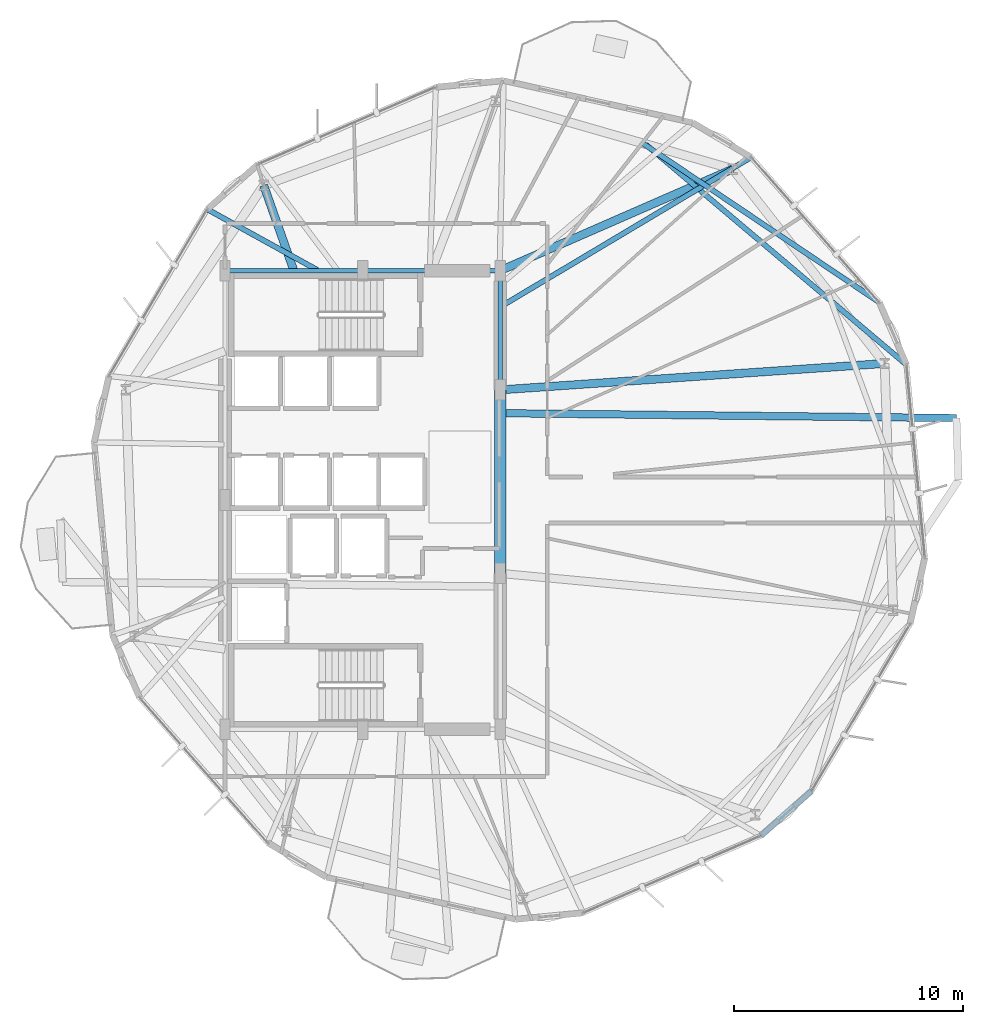
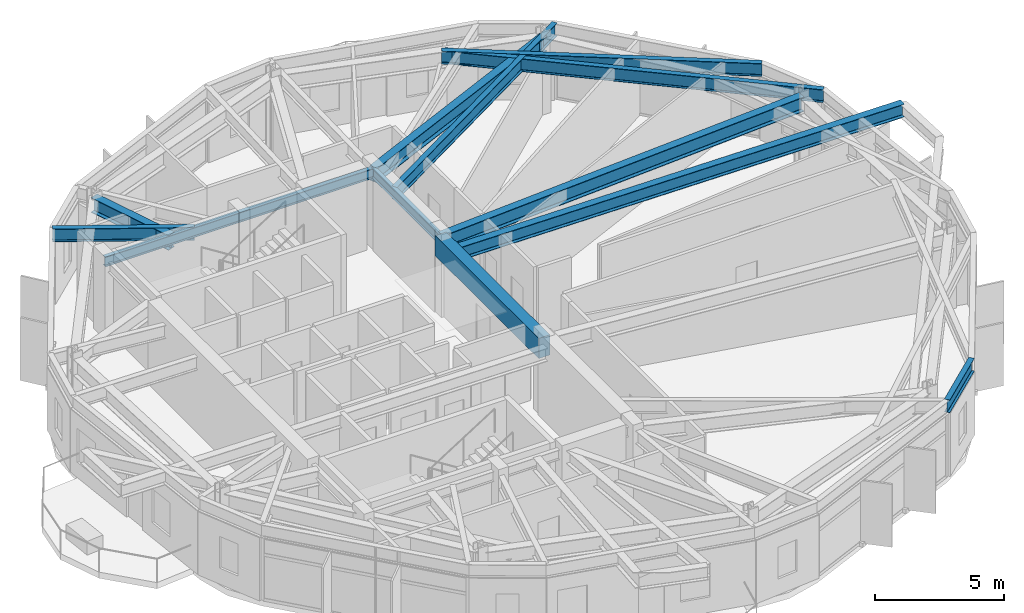
# One storey, part 9 of 23: 13 beams.
"""IFC4 building model written with IfcOpenShell, lengths in metres."""

from ifc_helpers import new_model, si_unit, direction, frame, origin, origin_2d, place, context, subcontext, project, spatial, rectangle, i_section, extrude, material, material_profile, profile_set, type_object, element, save


model = new_model("IFC4")

# Units and contexts
model_context = context("Model", 3, precision=1e-05, world=origin(), true_north=direction((0.0, 1.0)))
body_context = subcontext(model_context, "Body", "Model", "MODEL_VIEW")
ifc_project = project(units=[si_unit("LENGTHUNIT", "METRE"), si_unit("AREAUNIT", "SQUARE_METRE"), si_unit("VOLUMEUNIT", "CUBIC_METRE"), si_unit("PLANEANGLEUNIT", "RADIAN"), si_unit("MASSUNIT", "GRAM", prefix="KILO")], contexts=[model_context])

# Site, building, storey
site_placement = place(None, origin())
site = spatial("IfcSite", under=ifc_project, at=site_placement, CompositionType="ELEMENT")
building_placement = place(site_placement, origin())
building = spatial("IfcBuilding", under=site, at=building_placement, Name="Soratama Intermodal Tower", CompositionType="ELEMENT")
storey_placement = place(building_placement, frame((0.0, 0.0, 118.60009765625)))
storey = spatial("IfcBuildingStorey", under=building, at=storey_placement, Name="L28", CompositionType="ELEMENT", Elevation=118.60009765625)

# Beams
ifc_material_1 = material(Name="Structural steel ASTM A992 Grade 50", Category="steel")
ifc_material_profile_1 = material_profile(ifc_material_1, i_section(OverallWidth=0.324951171875, OverallDepth=0.615966796875, WebThickness=0.013916015625, FlangeThickness=0.021484375, FilletRadius=0.013916015625, at=origin_2d()), Name="W24X117")
ifc_profile_set_1 = profile_set([ifc_material_profile_1], Name="Structural steel ASTM A992 Grade 50")
beam_type_1 = type_object("IfcBeamType", Name="BM-CANT-W24X117", PredefinedType="BEAM", material=ifc_profile_set_1)
beam_1_placement = place(storey_placement, frame((44.8349609375, 28.781005859375, 3.2919921875), z_axis=(0.999943415299, -0.010637960323, 0.0), x_axis=(0.010637960323, 0.999943415299, 0.0)))
element("IfcBeam", 1, at=beam_1_placement, inside=storey, type_object=beam_type_1, Name="BM-L28-CANT-1-2", PredefinedType="BEAM", context=body_context, shape_type="SweptSolid", body=[
    extrude(i_section(OverallWidth=0.324951171875, OverallDepth=0.615966796875, WebThickness=0.013916015625, FlangeThickness=0.021484375, FilletRadius=0.013916015625, at=origin_2d()), origin(), (0.0, 0.0, 1.0), 19.645263671875),
])
ifc_material_2 = material(Name="Concrete f'c 56 MPa", Category="concrete")
ifc_material_profile_2 = material_profile(ifc_material_2, rectangle(XDim=0.5, YDim=0.949951171875, at=origin_2d()), Name="RC500X950")
ifc_profile_set_2 = profile_set([ifc_material_profile_2], Name="Concrete f'c 56 MPa")
beam_type_2 = type_object("IfcBeamType", Name="BM-CPL-RC500X950", PredefinedType="BEAM", material=ifc_profile_set_2)
beam_2_placement = place(storey_placement, frame((44.60009765625, 21.800048828125, 3.125), z_axis=(0.0, 1.0, 0.0), x_axis=(-1.0, 0.0, 0.0)))
element("IfcBeam", 2, at=beam_2_placement, inside=storey, type_object=beam_type_2, Name="L28 Core Coupling Beam East", PredefinedType="BEAM", context=body_context, shape_type="SweptSolid", body=[
    extrude(rectangle(XDim=0.5, YDim=0.949951171875, at=origin_2d()), origin(), (0.0, 0.0, 1.0), 8.0),
])
ifc_material_3 = material(Name="Structural steel ASTM A992 Grade 50", Category="steel")
ifc_material_profile_3 = material_profile(ifc_material_3, i_section(OverallWidth=0.19091796875, OverallDepth=0.4599609375, WebThickness=0.010009765625, FlangeThickness=0.01611328125, FilletRadius=0.010986328125, at=origin_2d()), Name="W18X55")
ifc_profile_set_3 = profile_set([ifc_material_profile_3], Name="Structural steel ASTM A992 Grade 50")
beam_type_3 = type_object("IfcBeamType", Name="BM-FLR-W18X55", PredefinedType="BEAM", material=ifc_profile_set_3)
beam_3_placement = place(storey_placement, frame((44.60009765625, 29.800048828125, 3.369873046875), z_axis=(0.0, 1.0, 0.0), x_axis=(-1.0, 0.0, 0.0)))
element("IfcBeam", 3, at=beam_3_placement, inside=storey, type_object=beam_type_3, Name="BM-L28-CRING-05", PredefinedType="BEAM", context=body_context, shape_type="SweptSolid", body=[
    extrude(i_section(OverallWidth=0.19091796875, OverallDepth=0.4599609375, WebThickness=0.010009765625, FlangeThickness=0.01611328125, FilletRadius=0.010986328125, at=origin_2d()), origin(), (0.0, 0.0, 1.0), 5.199951171875),
])
for number, where, z_axis, x_axis, name in (
    (4, (44.60009765625, 35.0, 3.369873046875), (-1.0, 0.0, 0.0), (0.0, -1.0, 0.0), "BM-L28-CRING-06"),
    (5, (38.60009765625, 35.0, 3.369873046875), (-1.0, 0.0, 0.0), (0.0, -1.0, 0.0), "BM-L28-CRING-07"),
):
    element("IfcBeam", number, at=place(storey_placement, frame(where, z_axis=z_axis, x_axis=x_axis)), inside=storey, type_object=beam_type_3, Name=name, PredefinedType="BEAM", context=body_context, shape_type="SweptSolid", body=[
        extrude(i_section(OverallWidth=0.19091796875, OverallDepth=0.4599609375, WebThickness=0.010009765625, FlangeThickness=0.01611328125, FilletRadius=0.010986328125, at=origin_2d()), origin(), (0.0, 0.0, 1.0), 6.0),
    ])
ifc_material_4 = material(Name="Structural steel ASTM A992 Grade 50", Category="steel")
ifc_material_profile_4 = material_profile(ifc_material_4, i_section(OverallWidth=0.35498046875, OverallDepth=0.695068359375, WebThickness=0.015380859375, FlangeThickness=0.02490234375, FilletRadius=0.01611328125, at=origin_2d()), Name="W27X146")
ifc_profile_set_4 = profile_set([ifc_material_profile_4], Name="Structural steel ASTM A992 Grade 50")
beam_type_4 = type_object("IfcBeamType", Name="BM-RING-W27X146", PredefinedType="BEAM", material=ifc_profile_set_4)
beam_4_placement = place(storey_placement, frame((44.60009765625, 29.800048828125, 3.25244140625), z_axis=(0.99764812202, 0.06854359656, 0.0), x_axis=(-0.06854359656, 0.99764812202, 0.0)))
element("IfcBeam", 6, at=beam_4_placement, inside=storey, type_object=beam_type_4, Name="BM-L28-RAD-01", PredefinedType="BEAM", context=body_context, shape_type="SweptSolid", body=[
    extrude(i_section(OverallWidth=0.35498046875, OverallDepth=0.695068359375, WebThickness=0.015380859375, FlangeThickness=0.02490234375, FilletRadius=0.01611328125, at=origin_2d()), origin(), (0.0, 0.0, 1.0), 16.79052734375),
])
beam_5_placement = place(storey_placement, frame((44.60009765625, 35.0, 3.25244140625), z_axis=(0.91638224797, 0.400304353718, 0.0), x_axis=(-0.400304353718, 0.91638224797, 0.0)))
element("IfcBeam", 7, at=beam_5_placement, inside=storey, type_object=beam_type_4, Name="BM-L28-RAD-02", PredefinedType="BEAM", context=body_context, shape_type="SweptSolid", body=[
    extrude(i_section(OverallWidth=0.35498046875, OverallDepth=0.695068359375, WebThickness=0.015380859375, FlangeThickness=0.02490234375, FilletRadius=0.01611328125, at=origin_2d()), origin(), (0.0, 0.0, 1.0), 11.05419921875),
])
beam_6_placement = place(storey_placement, frame((35.60009765625, 35.0, 3.25244140625), z_axis=(-0.333332697239, 0.942809266475, 0.0), x_axis=(-0.942809266475, -0.333332697239, 0.0)))
element("IfcBeam", 8, at=beam_6_placement, inside=storey, type_object=beam_type_4, Name="BM-L28-RAD-04", PredefinedType="BEAM", context=body_context, shape_type="SweptSolid", body=[
    extrude(i_section(OverallWidth=0.35498046875, OverallDepth=0.695068359375, WebThickness=0.015380859375, FlangeThickness=0.02490234375, FilletRadius=0.01611328125, at=origin_2d()), origin(), (0.0, 0.0, 1.0), 3.93603515625),
])
ifc_material_5 = material(Name="Structural steel ASTM A992 Grade 50", Category="steel")
ifc_material_profile_5 = material_profile(ifc_material_5, i_section(OverallWidth=0.22900390625, OverallDepth=0.612060546875, WebThickness=0.011962890625, FlangeThickness=0.01953125, FilletRadius=0.012939453125, at=origin_2d()), Name="W24X84")
ifc_profile_set_5 = profile_set([ifc_material_profile_5], Name="Structural steel ASTM A992 Grade 50")
beam_type_5 = type_object("IfcBeamType", Name="BM-SPN-W24X84", PredefinedType="SPANDREL", material=ifc_profile_set_5)
beam_7_placement = place(storey_placement, frame((55.9541015625, 10.361083984375, 3.2939453125), z_axis=(0.749422159825, 0.662092460585, 0.0), x_axis=(-0.662092460585, 0.749422159825, 0.0)))
element("IfcBeam", 9, at=beam_7_placement, inside=storey, type_object=beam_type_5, Name="BS-L28-CRN08", PredefinedType="SPANDREL", context=body_context, shape_type="SweptSolid", body=[
    extrude(i_section(OverallWidth=0.22900390625, OverallDepth=0.612060546875, WebThickness=0.011962890625, FlangeThickness=0.01953125, FilletRadius=0.012939453125, at=origin_2d()), origin(), (0.0, 0.0, 1.0), 2.966064453125),
])
ifc_material_6 = material(Name="Structural steel ASTM A992 Grade 50", Category="steel")
ifc_material_profile_6 = material_profile(ifc_material_6, i_section(OverallWidth=0.22900390625, OverallDepth=0.612060546875, WebThickness=0.011962890625, FlangeThickness=0.01953125, FilletRadius=0.012939453125, at=origin_2d()), Name="W24X84")
ifc_profile_set_6 = profile_set([ifc_material_profile_6], Name="Structural steel ASTM A992 Grade 50")
beam_type_6 = type_object("IfcBeamType", Name="BM-TIE-W24X84", PredefinedType="BEAM", material=ifc_profile_set_6)
beam_8_placement = place(storey_placement, frame((50.8310546875, 40.531005859375, 3.2939453125), z_axis=(0.830107113914, -0.557603962889, 0.0), x_axis=(0.557603962889, 0.830107113914, 0.0)))
element("IfcBeam", 10, at=beam_8_placement, inside=storey, type_object=beam_type_6, Name="BM-L28-TIE0-01", PredefinedType="BEAM", context=body_context, shape_type="SweptSolid", body=[
    extrude(i_section(OverallWidth=0.22900390625, OverallDepth=0.612060546875, WebThickness=0.011962890625, FlangeThickness=0.01953125, FilletRadius=0.012939453125, at=origin_2d()), origin(), (0.0, 0.0, 1.0), 12.403076171875),
])
beam_9_placement = place(storey_placement, frame((44.634033203125, 33.43994140625, 3.2939453125), z_axis=(0.858896382777, 0.512149395834, 0.0), x_axis=(-0.512149395834, 0.858896382777, 0.0)))
element("IfcBeam", 11, at=beam_9_placement, inside=storey, type_object=beam_type_6, Name="BM-L28-TIE1-01", PredefinedType="BEAM", context=body_context, shape_type="SweptSolid", body=[
    extrude(i_section(OverallWidth=0.22900390625, OverallDepth=0.612060546875, WebThickness=0.011962890625, FlangeThickness=0.01953125, FilletRadius=0.012939453125, at=origin_2d()), origin(), (0.0, 0.0, 1.0), 12.6953125),
])
beam_10_placement = place(storey_placement, frame((36.635986328125, 35.01904296875, 3.2939453125), z_axis=(-0.87553428081, 0.483156002888, 0.0), x_axis=(-0.483156002888, -0.87553428081, 0.0)))
element("IfcBeam", 12, at=beam_10_placement, inside=storey, type_object=beam_type_6, Name="BM-L28-TIE0-04", PredefinedType="BEAM", context=body_context, shape_type="SweptSolid", body=[
    extrude(i_section(OverallWidth=0.22900390625, OverallDepth=0.612060546875, WebThickness=0.011962890625, FlangeThickness=0.01953125, FilletRadius=0.012939453125, at=origin_2d()), origin(), (0.0, 0.0, 1.0), 5.497314453125),
])
beam_11_placement = place(storey_placement, frame((50.946044921875, 40.492919921875, 3.2939453125), z_axis=(0.763854930225, -0.645387980652, 0.0), x_axis=(0.645387980652, 0.763854930225, 0.0)))
element("IfcBeam", 13, at=beam_11_placement, inside=storey, type_object=beam_type_6, Name="BM-L28-TIE1-10", PredefinedType="BEAM", context=body_context, shape_type="SweptSolid", body=[
    extrude(i_section(OverallWidth=0.22900390625, OverallDepth=0.612060546875, WebThickness=0.011962890625, FlangeThickness=0.01953125, FilletRadius=0.012939453125, at=origin_2d()), origin(), (0.0, 0.0, 1.0), 14.873046875),
])

save(model, "model.ifc")
